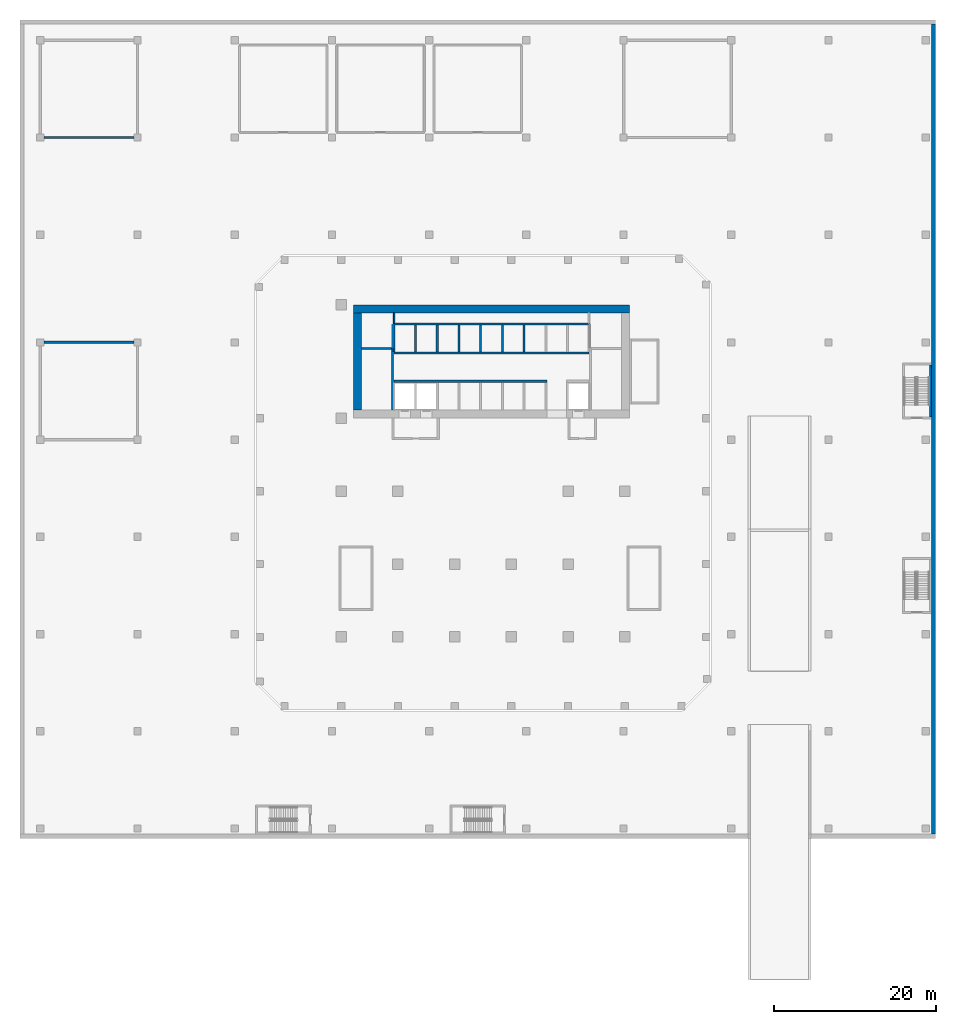
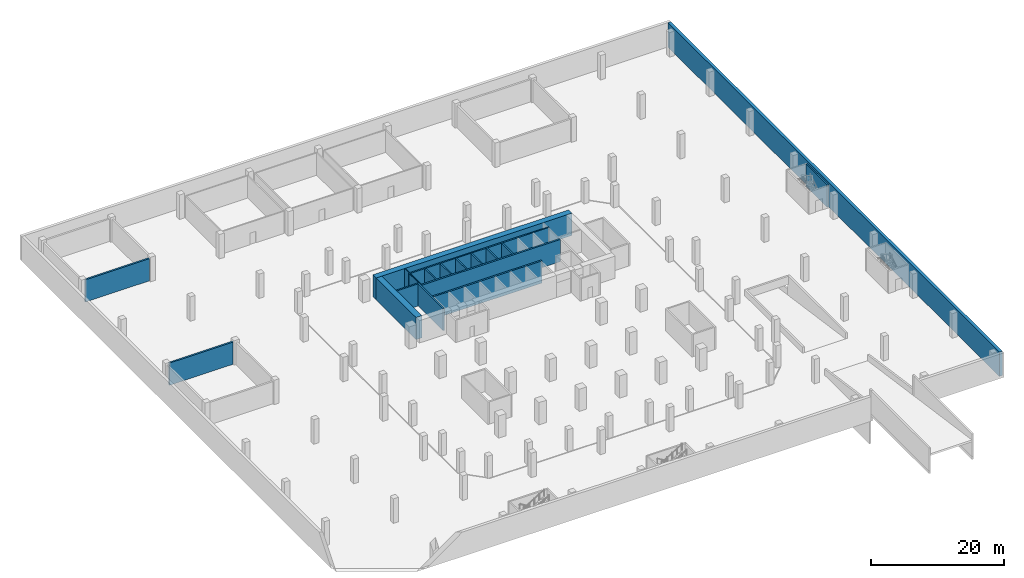
# One storey, part 7 of 11: 20 walls.
"""IFC4 building model written with IfcOpenShell, lengths in metres."""

from ifc_helpers import new_model, si_unit, direction, frame, frame_2d, origin, place, context, subcontext, project, spatial, rectangle, extrude, source, transform, mapped, material, layer, layer_set, type_object, element, save


model = new_model("IFC4")

# Units and contexts
model_context = context("Model", 3, precision=1e-05, world=origin(), true_north=direction((0.0, 1.0)))
body_context = subcontext(model_context, "Body", "Model", "MODEL_VIEW")
ifc_project = project(units=[si_unit("LENGTHUNIT", "METRE"), si_unit("AREAUNIT", "SQUARE_METRE"), si_unit("VOLUMEUNIT", "CUBIC_METRE"), si_unit("PLANEANGLEUNIT", "RADIAN"), si_unit("MASSUNIT", "GRAM", prefix="KILO")], contexts=[model_context])

# Site, building, storey
site_placement = place(None, origin())
site = spatial("IfcSite", under=ifc_project, at=site_placement, CompositionType="ELEMENT")
building_placement = place(site_placement, origin())
building = spatial("IfcBuilding", under=site, at=building_placement, Name="Kilnfold Tower and Market Hall", CompositionType="ELEMENT")
storey_placement = place(building_placement, frame((0.0, 0.0, -4.5)))
storey = spatial("IfcBuildingStorey", under=building, at=storey_placement, Name="B1", CompositionType="ELEMENT", Elevation=-4.5)

# Walls
ifc_material_1 = material(Name="Concrete C80", Category="concrete")
ifc_layer_1 = layer(ifc_material_1, 1.0)
ifc_layer_set_1 = layer_set([ifc_layer_1], Name="Concrete C80")
wall_type_1 = type_object("IfcWallType", Name="CORE WALL 1000 C80", PredefinedType="SHEAR", material=ifc_layer_set_1)
shared_shape_1 = source(origin(), body_context, "Body", "SweptSolid", [
    extrude(rectangle(XDim=34.10009765625, YDim=1.0, at=frame_2d((17.050048828125, 0.0))), origin(), (0.0, 0.0, 1.0), 4.090087890625),
])
wall_1_placement = place(storey_placement, frame((-16.0, 21.5, 0.0), z_axis=(0.0, 0.0, 1.0), x_axis=(1.0, 0.0, 0.0)))
element("IfcWall", 1, at=wall_1_placement, inside=storey, type_object=wall_type_1, Name="Core outer wall north", PredefinedType="SHEAR", context=body_context, shape_type="MappedRepresentation", body=[
    mapped(shared_shape_1, transform((0.0, 0.0, 0.0))),
])
shared_shape_2 = source(origin(), body_context, "Body", "SweptSolid", [
    extrude(rectangle(XDim=12.0, YDim=1.0, at=frame_2d((6.0, 0.0))), origin(), (0.0, 0.0, 1.0), 4.090087890625),
])
wall_2_placement = place(storey_placement, frame((-15.5, 9.0, 0.0), z_axis=(0.0, 0.0, 1.0), x_axis=(0.0, 1.0, 0.0)))
element("IfcWall", 2, at=wall_2_placement, inside=storey, type_object=wall_type_1, Name="Core outer wall west", PredefinedType="SHEAR", context=body_context, shape_type="MappedRepresentation", body=[
    mapped(shared_shape_2, transform((0.0, 0.0, 0.0))),
])
ifc_material_2 = material(Name="Concrete C80", Category="concrete")
ifc_layer_2 = layer(ifc_material_2, 0.25)
ifc_layer_set_2 = layer_set([ifc_layer_2], Name="Concrete C80")
wall_type_2 = type_object("IfcWallType", Name="CORE WALL 250 C80", PredefinedType="SHEAR", material=ifc_layer_set_2)
shared_shape_3 = source(origin(), body_context, "Body", "SweptSolid", [
    extrude(rectangle(XDim=7.75, YDim=0.25, at=frame_2d((3.875, 0.0))), origin(), (0.0, 0.0, 1.0), 4.090087890625),
])
wall_3_placement = place(storey_placement, frame((-11.175048828125, 9.0, 0.0), z_axis=(0.0, 0.0, 1.0), x_axis=(0.0, 1.0, 0.0)))
element("IfcWall", 3, at=wall_3_placement, inside=storey, type_object=wall_type_2, Name="Stair enclosure ST1", PredefinedType="SHEAR", context=body_context, shape_type="MappedRepresentation", body=[
    mapped(shared_shape_3, transform((0.0, 0.0, 0.0))),
])
shared_shape_4 = source(origin(), body_context, "Body", "SweptSolid", [
    extrude(rectangle(XDim=3.699951171875, YDim=0.25, at=frame_2d((1.85009765625, 0.0))), origin(), (0.0, 0.0, 1.0), 4.090087890625),
])
wall_4_placement = place(storey_placement, frame((-15.0, 16.625, 0.0), z_axis=(0.0, 0.0, 1.0), x_axis=(1.0, 0.0, 0.0)))
element("IfcWall", 4, at=wall_4_placement, inside=storey, type_object=wall_type_2, Name="Stair enclosure ST1", PredefinedType="SHEAR", context=body_context, shape_type="MappedRepresentation", body=[
    mapped(shared_shape_4, transform((0.0, 0.0, 0.0))),
])
ifc_material_3 = material(Name="Concrete C80", Category="concrete")
ifc_layer_3 = layer(ifc_material_3, 0.300048828125)
ifc_layer_set_3 = layer_set([ifc_layer_3], Name="Concrete C80")
wall_type_3 = type_object("IfcWallType", Name="CORE WALL 300 C80", PredefinedType="SHEAR", material=ifc_layer_set_3)
shared_shape_5 = source(origin(), body_context, "Body", "SweptSolid", [
    extrude(rectangle(XDim=18.89990234375, YDim=0.300048828125, at=frame_2d((9.449951171875, 0.0))), origin(), (0.0, 0.0, 1.0), 4.090087890625),
])
wall_5_placement = place(storey_placement, frame((-11.010009765625, 12.550048828125, 0.0), z_axis=(0.0, 0.0, 1.0), x_axis=(1.0, 0.0, 0.0)))
element("IfcWall", 5, at=wall_5_placement, inside=storey, type_object=wall_type_3, Name="Core spine wall", PredefinedType="SHEAR", context=body_context, shape_type="MappedRepresentation", body=[
    mapped(shared_shape_5, transform((0.0, 0.0, 0.0))),
])
shared_shape_6 = source(origin(), body_context, "Body", "SweptSolid", [
    extrude(rectangle(XDim=24.1201171875, YDim=0.300048828125, at=frame_2d((12.06005859375, 0.0))), origin(), (0.0, 0.0, 1.0), 4.090087890625),
])
wall_6_placement = place(storey_placement, frame((-11.010009765625, 16.050048828125, 0.0), z_axis=(0.0, 0.0, 1.0), x_axis=(1.0, 0.0, 0.0)))
element("IfcWall", 6, at=wall_6_placement, inside=storey, type_object=wall_type_3, Name="Core spine wall", PredefinedType="SHEAR", context=body_context, shape_type="MappedRepresentation", body=[
    mapped(shared_shape_6, transform((0.0, 0.0, 0.0))),
])
ifc_material_4 = material(Name="Concrete C50/60", Category="concrete")
ifc_layer_4 = layer(ifc_material_4, 0.300048828125)
ifc_layer_set_4 = layer_set([ifc_layer_4], Name="Concrete C50/60")
wall_type_4 = type_object("IfcWallType", Name="HALL CORE WALL 300", PredefinedType="SHEAR", material=ifc_layer_set_4)
shared_shape_7 = source(origin(), body_context, "Body", "SweptSolid", [
    extrude(rectangle(XDim=11.099853515625, YDim=0.300048828125, at=frame_2d((5.5498046875, 0.0))), origin(), (0.0, 0.0, 1.0), 4.090087890625),
])
for number, where, z_axis, x_axis, name in (
    (7, (-54.199951171875, 17.35009765625, 0.0), (0.0, 0.0, 1.0), (1.0, 0.0, 0.0), "Core wall MH1"),
    (8, (-43.10009765625, 42.64990234375, 0.0), (0.0, 0.0, 1.0), (-1.0, 0.0, 0.0), "Core wall MH2"),
):
    element("IfcWall", number, at=place(storey_placement, frame(where, z_axis=z_axis, x_axis=x_axis)), inside=storey, type_object=wall_type_4, Name=name, PredefinedType="SHEAR", context=body_context, shape_type="MappedRepresentation", body=[
        mapped(shared_shape_7, transform((0.0, 0.0, 0.0))),
    ])
ifc_material_5 = material(Name="Concrete C40/50", Category="concrete")
ifc_layer_5 = layer(ifc_material_5, 0.5)
ifc_layer_set_5 = layer_set([ifc_layer_5], Name="Concrete C40/50")
wall_type_5 = type_object("IfcWallType", Name="BASEMENT RETAINING WALL 500", PredefinedType="SOLIDWALL", material=ifc_layer_set_5)
shared_shape_8 = source(origin(), body_context, "Body", "SweptSolid", [
    extrude(rectangle(XDim=100.0, YDim=0.5, at=frame_2d((50.0, 0.0))), origin(), (0.0, 0.0, 1.0), 4.5),
])
wall_7_placement = place(storey_placement, frame((55.60009765625, -43.35009765625, 0.0), z_axis=(0.0, 0.0, 1.0), x_axis=(0.0, 1.0, 0.0)))
element("IfcWall", 9, at=wall_7_placement, inside=storey, type_object=wall_type_5, Name="Retaining wall B1 east", PredefinedType="SOLIDWALL", context=body_context, shape_type="MappedRepresentation", body=[
    mapped(shared_shape_8, transform((0.0, 0.0, 0.0))),
])
ifc_material_6 = material(Name="Gypsum shaft wall system")
ifc_layer_6 = layer(ifc_material_6, 0.25)
ifc_layer_set_6 = layer_set([ifc_layer_6], Name="Gypsum shaft wall system")
wall_type_6 = type_object("IfcWallType", Name="SHAFT WALL 250", PredefinedType="PARTITIONING", material=ifc_layer_set_6)
shared_shape_9 = source(origin(), body_context, "Body", "SweptSolid", [
    extrude(rectangle(XDim=24.3701171875, YDim=0.25, at=frame_2d((12.18505859375, 0.0))), origin(), (0.0, 0.0, 1.0), 4.090087890625),
])
wall_8_placement = place(storey_placement, frame((-11.135009765625, 19.60009765625, 0.0), z_axis=(0.0, 0.0, 1.0), x_axis=(1.0, 0.0, 0.0)))
element("IfcWall", 10, at=wall_8_placement, inside=storey, type_object=wall_type_6, Name="Lift shaft wall", PredefinedType="PARTITIONING", context=body_context, shape_type="MappedRepresentation", body=[
    mapped(shared_shape_9, transform((0.0, 0.0, 0.0))),
])
ifc_material_7 = material(Name="Gypsum shaft wall system")
ifc_layer_7 = layer(ifc_material_7, 0.1650390625)
ifc_layer_set_7 = layer_set([ifc_layer_7], Name="Gypsum shaft wall system")
wall_type_7 = type_object("IfcWallType", Name="SHAFT WALL 165", PredefinedType="PARTITIONING", material=ifc_layer_set_7)
shared_shape_10 = source(origin(), body_context, "Body", "SweptSolid", [
    extrude(rectangle(XDim=3.275146484375, YDim=0.1650390625, at=frame_2d((1.6376953125, 0.0))), origin(), (0.0, 0.0, 1.0), 4.090087890625),
])
wall_9_placement = place(storey_placement, frame((-10.967529296875, 16.199951171875, 0.0), z_axis=(0.0, 0.0, 1.0), x_axis=(0.0, 1.0, 0.0)))
element("IfcWall", 11, at=wall_9_placement, inside=storey, type_object=wall_type_7, Name="Lift shaft wall", PredefinedType="PARTITIONING", context=body_context, shape_type="MappedRepresentation", body=[
    mapped(shared_shape_10, transform((0.0, 0.0, 0.0))),
])
shared_shape_11 = source(origin(), body_context, "Body", "SweptSolid", [
    extrude(rectangle(XDim=1.27490234375, YDim=0.1650390625, at=frame_2d((0.637451171875, 0.0))), origin(), (0.0, 0.0, 1.0), 4.090087890625),
])
wall_10_placement = place(storey_placement, frame((-10.967529296875, 19.72509765625, 0.0), z_axis=(0.0, 0.0, 1.0), x_axis=(0.0, 1.0, 0.0)))
element("IfcWall", 12, at=wall_10_placement, inside=storey, type_object=wall_type_7, Name="Lift shaft wall", PredefinedType="PARTITIONING", context=body_context, shape_type="MappedRepresentation", body=[
    mapped(shared_shape_11, transform((0.0, 0.0, 0.0))),
])
shared_shape_12 = source(origin(), body_context, "Body", "SweptSolid", [
    extrude(rectangle(XDim=3.275146484375, YDim=0.25, at=frame_2d((1.6376953125, 0.0))), origin(), (0.0, 0.0, 1.0), 4.090087890625),
])
for number, where, z_axis, x_axis, name in (
    (13, (2.389892578125, 16.199951171875, 0.0), (0.0, 0.0, 1.0), (0.0, 1.0, 0.0), "Lift shaft wall"),
    (14, (5.070068359375, 16.199951171875, 0.0), (0.0, 0.0, 1.0), (0.0, 1.0, 0.0), "Lift shaft wall"),
    (15, (-0.2900390625, 16.199951171875, 0.0), (0.0, 0.0, 1.0), (0.0, 1.0, 0.0), "Lift shaft wall"),
    (16, (-2.969970703125, 16.199951171875, 0.0), (0.0, 0.0, 1.0), (0.0, 1.0, 0.0), "Lift shaft wall"),
    (17, (-5.64990234375, 16.199951171875, 0.0), (0.0, 0.0, 1.0), (0.0, 1.0, 0.0), "Lift shaft wall"),
    (18, (-8.330078125, 16.199951171875, 0.0), (0.0, 0.0, 1.0), (0.0, 1.0, 0.0), "Lift shaft wall"),
):
    element("IfcWall", number, at=place(storey_placement, frame(where, z_axis=z_axis, x_axis=x_axis)), inside=storey, type_object=wall_type_6, Name=name, PredefinedType="PARTITIONING", context=body_context, shape_type="MappedRepresentation", body=[
        mapped(shared_shape_12, transform((0.0, 0.0, 0.0))),
    ])
ifc_material_8 = material(Name="Gypsum shaft wall system")
ifc_layer_8 = layer(ifc_material_8, 0.0849609375)
ifc_layer_set_8 = layer_set([ifc_layer_8], Name="Gypsum shaft wall system")
wall_type_8 = type_object("IfcWallType", Name="SHAFT WALL 85", PredefinedType="PARTITIONING", material=ifc_layer_set_8)
shared_shape_13 = source(origin(), body_context, "Body", "SweptSolid", [
    extrude(rectangle(XDim=2.72509765625, YDim=0.0849609375, at=frame_2d((1.362548828125, 0.0))), origin(), (0.0, 0.0, 1.0), 4.090087890625),
])
wall_11_placement = place(storey_placement, frame((-11.092529296875, 16.75, 0.0), z_axis=(0.0, 0.0, 1.0), x_axis=(0.0, 1.0, 0.0)))
element("IfcWall", 19, at=wall_11_placement, inside=storey, type_object=wall_type_8, Name="Lift shaft wall", PredefinedType="PARTITIONING", context=body_context, shape_type="MappedRepresentation", body=[
    mapped(shared_shape_13, transform((0.0, 0.0, 0.0))),
])
ifc_material_9 = material(Name="Concrete C50/60", Category="concrete")
ifc_layer_9 = layer(ifc_material_9, 0.25)
ifc_layer_set_9 = layer_set([ifc_layer_9], Name="Concrete C50/60")
wall_type_9 = type_object("IfcWallType", Name="CAR PARK STAIR WALL 250", PredefinedType="SHEAR", material=ifc_layer_set_9)
shared_shape_14 = source(origin(), body_context, "Body", "SweptSolid", [
    extrude(rectangle(XDim=6.400146484375, YDim=0.25, at=frame_2d((3.2001953125, 0.0))), origin(), (0.0, 0.0, 1.0), 4.090087890625),
])
wall_12_placement = place(storey_placement, frame((55.22509765625, 8.14990234375, 0.0), z_axis=(0.0, 0.0, 1.0), x_axis=(0.0, 1.0, 0.0)))
element("IfcWall", 20, at=wall_12_placement, inside=storey, type_object=wall_type_9, Name="Stair CS4 wall east", PredefinedType="SHEAR", context=body_context, shape_type="MappedRepresentation", body=[
    mapped(shared_shape_14, transform((0.0, 0.0, 0.0))),
])

save(model, "model.ifc")
